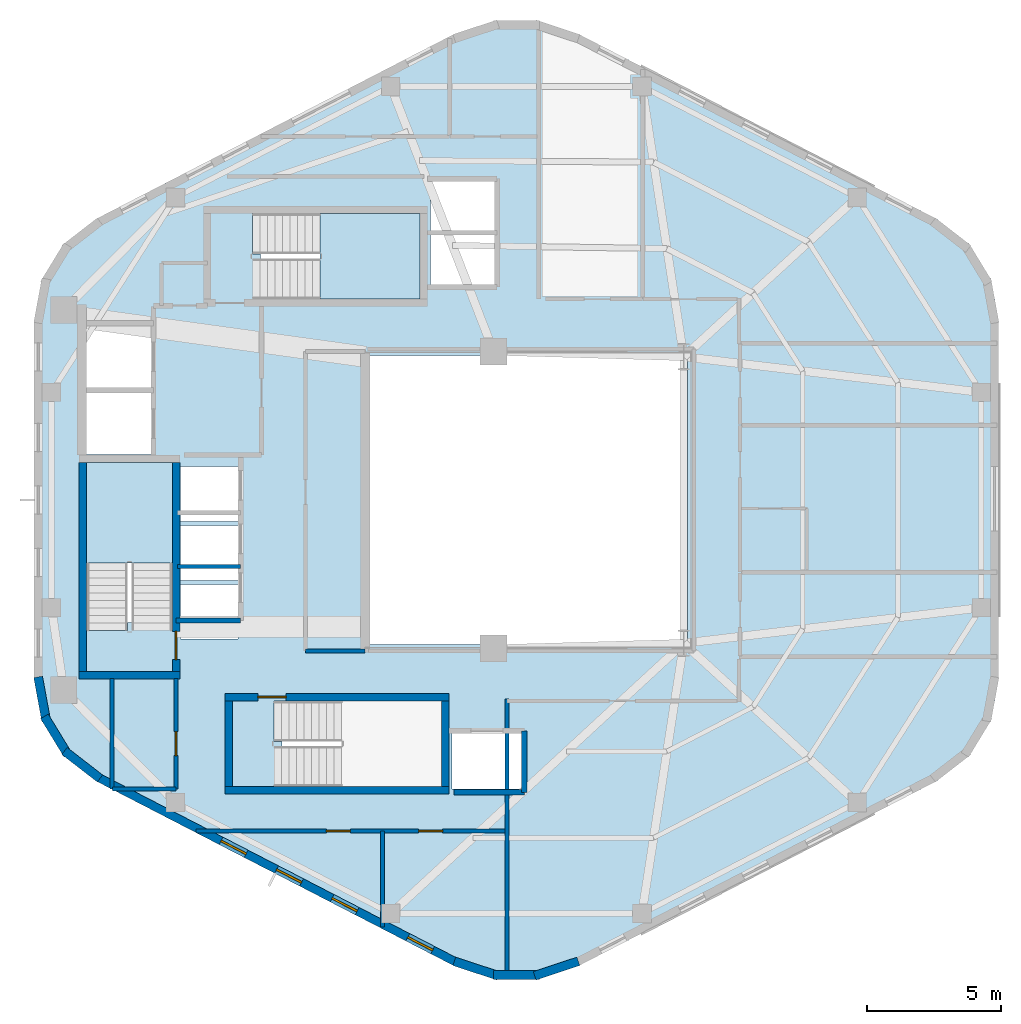
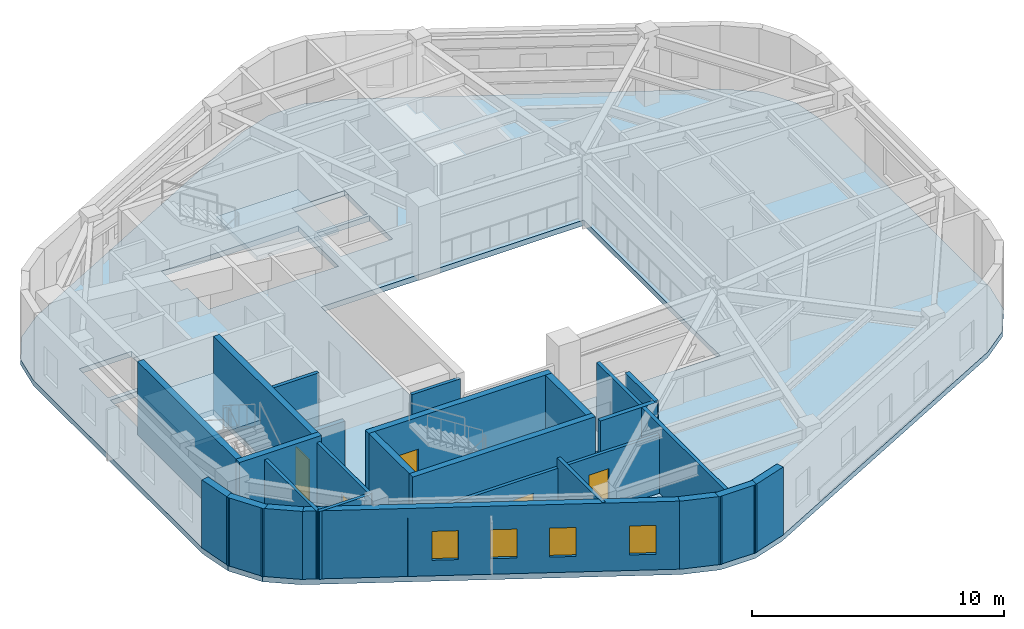
# One storey, part 2 of 7: 25 walls, 5 doors, 4 windows, 3 slabs, 9 openings, 2 elements without a shape of their own.
"""IFC4 building model written with IfcOpenShell, lengths in metres."""

from ifc_helpers import new_model, si_unit, direction, frame, frame_2d, origin, place, context, subcontext, project, spatial, polyline, rectangle, outline, extrude, material, layer, layer_set, type_object, element, fill, aggregate, save


model = new_model("IFC4")

# Units and contexts
model_context = context("Model", 3, precision=1e-05, world=origin(), true_north=direction((0.0, 1.0)))
body_context = subcontext(model_context, "Body", "Model", "MODEL_VIEW")
ifc_project = project(units=[si_unit("LENGTHUNIT", "METRE"), si_unit("AREAUNIT", "SQUARE_METRE"), si_unit("VOLUMEUNIT", "CUBIC_METRE"), si_unit("PLANEANGLEUNIT", "RADIAN"), si_unit("MASSUNIT", "GRAM", prefix="KILO"), si_unit("THERMODYNAMICTEMPERATUREUNIT", "KELVIN"), si_unit("POWERUNIT", "WATT")], contexts=[model_context])

# Site, building, storey
site_placement = place(None, origin())
site = spatial("IfcSite", under=ifc_project, at=site_placement, CompositionType="ELEMENT")
building_placement = place(site_placement, origin())
building = spatial("IfcBuilding", under=site, at=building_placement, Name="Skarre Station Tower", CompositionType="ELEMENT")
storey_placement = place(building_placement, frame((0.0, 0.0, 263.199951171875)))
storey = spatial("IfcBuildingStorey", under=building, at=storey_placement, Name="L72", CompositionType="ELEMENT", Elevation=263.199951171875)

# Stair, slab
ifc_material_1 = material(Name="Concrete C40/50", Category="concrete")
stair_type_1 = type_object("IfcStairType", Name="Reinforced Concrete Exit Stair ST-1", PredefinedType="HALF_TURN_STAIR", material=ifc_material_1)
stair_1_placement = place(storey_placement, origin())
stair_1 = element("IfcStair", 1, at=stair_1_placement, inside=storey, type_object=stair_type_1, Name="L72 Core Exit Stair ST-1", PredefinedType="HALF_TURN_STAIR")
ifc_layer_1 = layer(ifc_material_1, 0.219970703125, Name="Concrete C40/50")
ifc_layer_set_1 = layer_set([ifc_layer_1], Name="Concrete C40/50")
slab_type_1 = type_object("IfcSlabType", Name="Reinforced Concrete Stair & Ramp Landing 220", PredefinedType="LANDING", material=ifc_layer_set_1)
slab_1_placement = place(storey_placement, frame((0.0, 0.0, 1.574951171875)))
slab_1 = element("IfcSlab", 2, at=slab_1_placement, type_object=slab_type_1, Name="ST-1 landing 1", PredefinedType="LANDING", context=body_context, shape_type="SweptSolid", body=[
    extrude(outline(polyline([(20.35009765625, 21.639892578125), (20.35009765625, 25.39990234375), (17.14990234375, 25.39990234375), (17.14990234375, 21.639892578125), (20.35009765625, 21.639892578125)])), origin(), (0.0, 0.0, 1.0), 0.2001953125),
])
aggregate(stair_1, [slab_1])

stair_type_2 = type_object("IfcStairType", Name="Reinforced Concrete Exit Stair ST-3", PredefinedType="HALF_TURN_STAIR", material=ifc_material_1)
stair_2_placement = place(storey_placement, origin())
stair_2 = element("IfcStair", 3, at=stair_2_placement, inside=storey, type_object=stair_type_2, Name="L72 Core Exit Stair ST-3", PredefinedType="HALF_TURN_STAIR")
slab_2_placement = place(storey_placement, frame((0.0, 0.0, 1.574951171875)))
slab_2 = element("IfcSlab", 4, at=slab_2_placement, type_object=slab_type_1, Name="ST-3 landing 1", PredefinedType="LANDING", context=body_context, shape_type="SweptSolid", body=[
    extrude(outline(polyline([(25.8701171875, 31.5), (29.60009765625, 31.5), (29.60009765625, 34.699951171875), (25.8701171875, 34.699951171875), (25.8701171875, 31.5)])), origin(), (0.0, 0.0, 1.0), 0.2001953125),
])
aggregate(stair_2, [slab_2])

# Slab
ifc_material_2 = material(Name="Concrete C50/60", Category="concrete")
ifc_layer_2 = layer(ifc_material_2, 0.260009765625, Name="Concrete C50/60")
ifc_layer_set_2 = layer_set([ifc_layer_2], Name="Concrete C50/60")
slab_type_2 = type_object("IfcSlabType", Name="Tower Typical Composite Floor Slab 260", PredefinedType="FLOOR", material=ifc_layer_set_2)
slab_3_placement = place(storey_placement, frame((0.0, 0.0, -0.260009765625)))
element("IfcSlab", 5, at=slab_3_placement, inside=storey, type_object=slab_type_2, Name="L72 Zone 4 Structural Floor Slab", PredefinedType="FLOOR", context=body_context, shape_type="SweptSolid", body=[
    extrude(outline(polyline([(51.212890625, 30.701904296875), (50.93310546875, 32.222900390625), (50.1279296875, 33.544921875), (48.905029296875, 34.491943359375), (35.508056640625, 41.407958984375), (33.99609375, 41.906005859375), (32.404052734375, 41.906005859375), (30.89208984375, 41.407958984375), (17.4951171875, 34.491943359375), (16.27197265625, 33.544921875), (15.467041015625, 32.222900390625), (15.18701171875, 30.701904296875), (15.18701171875, 17.298095703125), (15.467041015625, 15.777099609375), (16.27197265625, 14.455078125), (17.4951171875, 13.508056640625), (30.89208984375, 6.592041015625), (32.404052734375, 6.093994140625), (33.99609375, 6.093994140625), (35.508056640625, 6.592041015625), (48.905029296875, 13.508056640625), (50.1279296875, 14.455078125), (50.93310546875, 15.777099609375), (51.212890625, 17.298095703125), (51.212890625, 30.701904296875)]), holes=[polyline([(18.669921875, 19.419921875), (18.669921875, 19.123046875), (17.14990234375, 19.123046875), (17.14990234375, 25.39990234375), (20.35009765625, 25.39990234375), (20.35009765625, 19.419921875), (18.669921875, 19.419921875)]), polyline([(24.449951171875, 14.97998046875), (24.153076171875, 14.97998046875), (24.153076171875, 16.5), (30.39990234375, 16.5), (30.39990234375, 13.300048828125), (24.449951171875, 13.300048828125), (24.449951171875, 14.97998046875)]), polyline([(23.64990234375, 33.179931640625), (23.35302734375, 33.179931640625), (23.35302734375, 34.699951171875), (29.60009765625, 34.699951171875), (29.60009765625, 31.5), (23.64990234375, 31.5), (23.64990234375, 33.179931640625)]), polyline([(17.14990234375, 28.0), (19.550048828125, 28.0), (19.550048828125, 25.699951171875), (17.14990234375, 25.699951171875), (17.14990234375, 28.0)]), polyline([(17.14990234375, 30.5), (19.550048828125, 30.5), (19.550048828125, 28.199951171875), (17.14990234375, 28.199951171875), (17.14990234375, 30.5)]), polyline([(30.800048828125, 15.300048828125), (33.39990234375, 15.300048828125), (33.39990234375, 13.199951171875), (30.800048828125, 13.199951171875), (30.800048828125, 15.300048828125)]), polyline([(20.64990234375, 20.85009765625), (22.800048828125, 20.85009765625), (22.800048828125, 18.800048828125), (20.64990234375, 18.800048828125), (20.64990234375, 20.85009765625)]), polyline([(20.64990234375, 23.050048828125), (22.800048828125, 23.050048828125), (22.800048828125, 21.0), (20.64990234375, 21.0), (20.64990234375, 23.050048828125)]), polyline([(20.64990234375, 25.25), (22.800048828125, 25.25), (22.800048828125, 23.199951171875), (20.64990234375, 23.199951171875), (20.64990234375, 25.25)]), polyline([(30.0, 33.89990234375), (32.39990234375, 33.89990234375), (32.39990234375, 32.050048828125), (30.0, 32.050048828125), (30.0, 33.89990234375)]), polyline([(30.0, 35.89990234375), (32.39990234375, 35.89990234375), (32.39990234375, 34.050048828125), (30.0, 34.050048828125), (30.0, 35.89990234375)]), polyline([(27.60009765625, 29.39990234375), (39.60009765625, 29.39990234375), (39.60009765625, 18.60009765625), (27.60009765625, 18.60009765625), (27.60009765625, 29.39990234375)])]), origin(), (0.0, 0.0, 1.0), 0.260009765625),
])

# Walls
ifc_material_3 = material(Name="Acoustic Steel-Stud Gypsum Partition", Category="steel")
ifc_layer_3 = layer(ifc_material_3, 0.14990234375, Name="Acoustic Steel-Stud Gypsum Partition")
ifc_layer_set_3 = layer_set([ifc_layer_3], Name="Acoustic Steel-Stud Gypsum Partition")
wall_type_1 = type_object("IfcWallType", Name="Fire-Rated Corridor Acoustic Partition 150", PredefinedType="PARTITIONING", material=ifc_layer_set_3)
wall_1_placement = place(storey_placement, frame((25.320068359375, 18.360107421875, 0.0), z_axis=(0.0, 0.0, 1.0), x_axis=(1.0, 0.0, 0.0)))
element("IfcWall", 6, at=wall_1_placement, inside=storey, type_object=wall_type_1, Name="L72 Interior Partition WL-PT-L72-RC2-S", PredefinedType="PARTITIONING", context=body_context, shape_type="SweptSolid", body=[
    extrude(rectangle(XDim=2.22998046875, YDim=0.14990234375, at=frame_2d((1.114990234375, 0.0))), origin(), (0.0, 0.0, 1.0), 3.2900390625),
])
wall_2_placement = place(storey_placement, frame((18.10009765625, 17.340087890625, 0.0), z_axis=(0.0, 0.0, 1.0), x_axis=(0.0, -1.0, 0.0)))
element("IfcWall", 7, at=wall_2_placement, inside=storey, type_object=wall_type_1, Name="L72 Interior Partition WL-PT-L72-CSVC-W", PredefinedType="PARTITIONING", context=body_context, shape_type="SweptSolid", body=[
    extrude(rectangle(XDim=4.133056640625, YDim=0.14990234375, at=frame_2d((2.06640625, 0.0))), origin(), (0.0, 0.0, 1.0), 3.2900390625),
])
wall_3_placement = place(storey_placement, frame((18.113037109375, 13.199951171875, 0.0), z_axis=(0.0, 0.0, 1.0), x_axis=(1.0, 0.0, 0.0)))
element("IfcWall", 8, at=wall_3_placement, inside=storey, type_object=wall_type_1, Name="L72 Interior Partition WL-PT-L72-CSVC-S", PredefinedType="PARTITIONING", context=body_context, shape_type="SweptSolid", body=[
    extrude(rectangle(XDim=2.376953125, YDim=0.14990234375, at=frame_2d((1.1884765625, 0.0))), origin(), (0.0, 0.0, 1.0), 3.2900390625),
])

# Wall, opening, door
wall_4_placement = place(storey_placement, frame((20.489990234375, 13.199951171875, 0.0), z_axis=(0.0, 0.0, 1.0), x_axis=(0.0, 1.0, 0.0)))
wall_4 = element("IfcWall", 9, at=wall_4_placement, inside=storey, type_object=wall_type_1, Name="L72 Interior Partition WL-PT-L72-CSVC-E", PredefinedType="PARTITIONING", context=body_context, shape_type="SweptSolid", body=[
    extrude(rectangle(XDim=4.14013671875, YDim=0.14990234375, at=frame_2d((2.070068359375, 0.0))), origin(), (0.0, 0.0, 1.0), 3.2900390625),
])
opening_1_placement = place(wall_4_placement, frame((1.25, 0.0, 0.0)))
opening_1 = element("IfcOpeningElement", 10, at=opening_1_placement, cuts=wall_4, Name="Opening DR-SVC90", PredefinedType="OPENING", context=body_context, shape_type="SweptSolid", body=[
    extrude(rectangle(XDim=0.89990234375, YDim=2.0, at=frame_2d((0.449951171875, 1.0))), frame((0.0, 0.0849609375, 0.0), z_axis=(0.0, -1.0, 0.0), x_axis=(1.0, 0.0, 0.0)), (0.0, 0.0, 1.0), 0.169921875),
])
ifc_material_4 = material(Name="Powder-Coated Hollow-Metal Acoustic Fire Leaf", Category="steel")
door_type_1 = type_object("IfcDoorType", Name="Service & Riser Fire Door FD60 900x2100", OperationType="SINGLE_SWING_LEFT", PredefinedType="DOOR", material=ifc_material_4)
door_1_placement = place(opening_1_placement, origin())
door_1 = element("IfcDoor", 11, at=door_1_placement, inside=storey, type_object=door_type_1, Name="L72 Core Pantry Door", OperationType="SINGLE_SWING_LEFT", OverallHeight=2.0, OverallWidth=0.89990234375, PredefinedType="DOOR", context=body_context, shape_type="SweptSolid", body=[
    extrude(rectangle(XDim=0.89990234375, YDim=2.0, at=frame_2d((0.449951171875, 1.0))), frame((0.0, 0.02490234375, 0.0), z_axis=(0.0, -1.0, 0.0), x_axis=(1.0, 0.0, 0.0)), (0.0, 0.0, 1.0), 0.050048828125),
])
fill(opening_1, door_1)

# Wall
wall_5_placement = place(storey_placement, frame((28.199951171875, 8.049072265625, 0.0), z_axis=(0.0, 0.0, 1.0), x_axis=(0.0, 1.0, 0.0)))
element("IfcWall", 12, at=wall_5_placement, inside=storey, type_object=wall_type_1, Name="L72 Interior Partition WL-PT-L72-SWP-M", PredefinedType="PARTITIONING", context=body_context, shape_type="SweptSolid", body=[
    extrude(rectangle(XDim=3.5908203125, YDim=0.14990234375, at=frame_2d((1.79541015625, 0.0))), origin(), (0.0, 0.0, 1.0), 3.2900390625),
])

# Wall, openings, doors
wall_6_placement = place(storey_placement, frame((21.243896484375, 11.639892578125, 0.0), z_axis=(0.0, 0.0, 1.0), x_axis=(1.0, 0.0, 0.0)))
wall_6 = element("IfcWall", 13, at=wall_6_placement, inside=storey, type_object=wall_type_1, Name="L72 Interior Partition WL-PT-L72-SWP-N", PredefinedType="PARTITIONING", context=body_context, shape_type="SweptSolid", body=[
    extrude(rectangle(XDim=11.606201171875, YDim=0.14990234375, at=frame_2d((5.80322265625, 0.0))), origin(), (0.0, 0.0, 1.0), 2.8330078125),
])
opening_2_placement = place(wall_6_placement, frame((4.85595703125, 0.0, 0.0)))
opening_2 = element("IfcOpeningElement", 14, at=opening_2_placement, cuts=wall_6, Name="Opening DR-SVC90", PredefinedType="OPENING", context=body_context, shape_type="SweptSolid", body=[
    extrude(rectangle(XDim=0.89990234375, YDim=2.0, at=frame_2d((0.449951171875, 1.0))), frame((0.0, 0.0849609375, 0.0), z_axis=(0.0, -1.0, 0.0), x_axis=(1.0, 0.0, 0.0)), (0.0, 0.0, 1.0), 0.169921875),
])
opening_3_placement = place(wall_6_placement, frame((8.305908203125, 0.0, 0.0)))
opening_3 = element("IfcOpeningElement", 15, at=opening_3_placement, cuts=wall_6, Name="Opening DR-SVC90", PredefinedType="OPENING", context=body_context, shape_type="SweptSolid", body=[
    extrude(rectangle(XDim=0.89990234375, YDim=2.0, at=frame_2d((0.449951171875, 1.0))), frame((0.0, 0.0849609375, 0.0), z_axis=(0.0, -1.0, 0.0), x_axis=(1.0, 0.0, 0.0)), (0.0, 0.0, 1.0), 0.169921875),
])
door_2_placement = place(opening_2_placement, origin())
door_2 = element("IfcDoor", 16, at=door_2_placement, inside=storey, type_object=door_type_1, Name="L72 Floor Public Toilets Door", OperationType="SINGLE_SWING_LEFT", OverallHeight=2.0, OverallWidth=0.89990234375, PredefinedType="DOOR", context=body_context, shape_type="SweptSolid", body=[
    extrude(rectangle(XDim=0.89990234375, YDim=2.0, at=frame_2d((0.449951171875, 1.0))), frame((0.0, 0.02490234375, 0.0), z_axis=(0.0, -1.0, 0.0), x_axis=(1.0, 0.0, 0.0)), (0.0, 0.0, 1.0), 0.050048828125),
])
fill(opening_2, door_2)
door_3_placement = place(opening_3_placement, origin())
door_3 = element("IfcDoor", 17, at=door_3_placement, inside=storey, type_object=door_type_1, Name="L72 South-West Study Door", OperationType="SINGLE_SWING_LEFT", OverallHeight=2.0, OverallWidth=0.89990234375, PredefinedType="DOOR", context=body_context, shape_type="SweptSolid", body=[
    extrude(rectangle(XDim=0.89990234375, YDim=2.0, at=frame_2d((0.449951171875, 1.0))), frame((0.0, 0.02490234375, 0.0), z_axis=(0.0, -1.0, 0.0), x_axis=(1.0, 0.0, 0.0)), (0.0, 0.0, 1.0), 0.050048828125),
])
fill(opening_3, door_3)

# Walls
ifc_material_5 = material(Name="Precast concrete C45/55", Category="concrete")
ifc_layer_4 = layer(ifc_material_5, 0.330078125, Name="Precast concrete C45/55")
ifc_layer_set_4 = layer_set([ifc_layer_4], Name="Precast concrete C45/55")
wall_type_2 = type_object("IfcWallType", Name="Nordic Rounded Corner Precast Wall 330", PredefinedType="STANDARD", material=ifc_layer_set_4)
wall_7_placement = place(storey_placement, frame((17.64697265625, 13.59912109375, 0.0), z_axis=(0.0, 0.0, 1.0), x_axis=(-0.790691856293, 0.61221433207, 0.0)))
element("IfcWall", 18, at=wall_7_placement, inside=storey, type_object=wall_type_2, Name="L72 Rounded Corner Precast Wall F3-1", PredefinedType="STANDARD", context=body_context, shape_type="SweptSolid", body=[
    extrude(rectangle(XDim=1.67578125, YDim=0.330078125, at=frame_2d((0.837890625, 0.0))), origin(), (0.0, 0.0, 1.0), 3.2900390625),
])
wall_8_placement = place(storey_placement, frame((16.447021484375, 14.485107421875, 0.0), z_axis=(0.0, 0.0, 1.0), x_axis=(-0.520325409202, 0.853968072318, 0.0)))
element("IfcWall", 19, at=wall_8_placement, inside=storey, type_object=wall_type_2, Name="L72 Rounded Corner Precast Wall F3-2", PredefinedType="STANDARD", context=body_context, shape_type="SweptSolid", body=[
    extrude(rectangle(XDim=1.677978515625, YDim=0.330078125, at=frame_2d((0.8388671875, 0.0))), origin(), (0.0, 0.0, 1.0), 3.2900390625),
])
wall_9_placement = place(storey_placement, frame((15.64111328125, 15.742919921875, 0.0), z_axis=(0.0, 0.0, 1.0), x_axis=(-0.180832605401, 0.983513888475, 0.0)))
element("IfcWall", 20, at=wall_9_placement, inside=storey, type_object=wall_type_2, Name="L72 Rounded Corner Precast Wall F3-3", PredefinedType="STANDARD", context=body_context, shape_type="SweptSolid", body=[
    extrude(rectangle(XDim=1.6767578125, YDim=0.330078125, at=frame_2d((0.83837890625, 0.0))), origin(), (0.0, 0.0, 1.0), 3.2900390625),
])
wall_10_placement = place(storey_placement, frame((35.51806640625, 6.76904296875, 0.0), z_axis=(0.0, 0.0, 1.0), x_axis=(-0.949713440491, -0.313120393699, 0.0)))
element("IfcWall", 21, at=wall_10_placement, inside=storey, type_object=wall_type_2, Name="L72 Rounded Corner Precast Wall F4-1", PredefinedType="STANDARD", context=body_context, shape_type="SweptSolid", body=[
    extrude(rectangle(XDim=1.7216796875, YDim=0.330078125, at=frame_2d((0.86083984375, 0.0))), origin(), (0.0, 0.0, 1.0), 3.2900390625),
])
wall_11_placement = place(storey_placement, frame((34.06103515625, 6.259033203125, 0.0), z_axis=(0.0, 0.0, 1.0), x_axis=(-1.0, 0.0, 0.0)))
element("IfcWall", 22, at=wall_11_placement, inside=storey, type_object=wall_type_2, Name="L72 Rounded Corner Precast Wall F4-2", PredefinedType="STANDARD", context=body_context, shape_type="SweptSolid", body=[
    extrude(rectangle(XDim=1.721923828125, YDim=0.330078125, at=frame_2d((0.86083984375, 0.0))), origin(), (0.0, 0.0, 1.0), 3.2900390625),
])
wall_12_placement = place(storey_placement, frame((32.51708984375, 6.22998046875, 0.0), z_axis=(0.0, 0.0, 1.0), x_axis=(-0.949713440491, 0.313120393699, 0.0)))
element("IfcWall", 23, at=wall_12_placement, inside=storey, type_object=wall_type_2, Name="L72 Rounded Corner Precast Wall F4-3", PredefinedType="STANDARD", context=body_context, shape_type="SweptSolid", body=[
    extrude(rectangle(XDim=1.7216796875, YDim=0.330078125, at=frame_2d((0.86083984375, 0.0))), origin(), (0.0, 0.0, 1.0), 3.2900390625),
])

# Wall, openings, windows
ifc_layer_5 = layer(ifc_material_5, 0.31005859375, Name="Precast concrete C45/55")
ifc_layer_set_5 = layer_set([ifc_layer_5], Name="Precast concrete C45/55")
wall_type_3 = type_object("IfcWallType", Name="Nordic Upper-Zone Precast Facet Wall 310", PredefinedType="STANDARD", material=ifc_layer_set_5)
wall_13_placement = place(storey_placement, frame((30.962890625, 6.72998046875, 0.0), z_axis=(0.0, 0.0, 1.0), x_axis=(-0.888581481622, 0.458718814218, 0.0)))
wall_13 = element("IfcWall", 24, at=wall_13_placement, inside=storey, type_object=wall_type_3, Name="L72 Facet 3 Nordic Precast Masonry Wall", PredefinedType="STANDARD", context=body_context, shape_type="SweptSolid", body=[
    extrude(rectangle(XDim=15.076904296875, YDim=0.31005859375, at=frame_2d((7.53857421875, 0.0))), origin(), (0.0, 0.0, 1.0), 3.2900390625),
])
opening_4_placement = place(wall_13_placement, frame((0.998046875, 0.0, 0.75)))
opening_4 = element("IfcOpeningElement", 25, at=opening_4_placement, cuts=wall_13, Name="Opening WN-SLT", PredefinedType="OPENING", context=body_context, shape_type="SweptSolid", body=[
    extrude(rectangle(XDim=1.050048828125, YDim=1.39990234375, at=frame_2d((0.52490234375, 0.699951171875))), frame((0.0, 0.1650390625, 0.0), z_axis=(0.0, -1.0, 0.0), x_axis=(1.0, 0.0, 0.0)), (0.0, 0.0, 1.0), 0.330078125),
])
opening_5_placement = place(wall_13_placement, frame((4.176025390625, 0.0, 0.75)))
opening_5 = element("IfcOpeningElement", 26, at=opening_5_placement, cuts=wall_13, Name="Opening WN-SLT", PredefinedType="OPENING", context=body_context, shape_type="SweptSolid", body=[
    extrude(rectangle(XDim=1.050048828125, YDim=1.39990234375, at=frame_2d((0.52490234375, 0.699951171875))), frame((0.0, 0.1650390625, 0.0), z_axis=(0.0, -1.0, 0.0), x_axis=(1.0, 0.0, 0.0)), (0.0, 0.0, 1.0), 0.330078125),
])
opening_6_placement = place(wall_13_placement, frame((6.509033203125, 0.0, 0.75)))
opening_6 = element("IfcOpeningElement", 27, at=opening_6_placement, cuts=wall_13, Name="Opening WN-SLT", PredefinedType="OPENING", context=body_context, shape_type="SweptSolid", body=[
    extrude(rectangle(XDim=1.050048828125, YDim=1.39990234375, at=frame_2d((0.52490234375, 0.699951171875))), frame((0.0, 0.1650390625, 0.0), z_axis=(0.0, -1.0, 0.0), x_axis=(1.0, 0.0, 0.0)), (0.0, 0.0, 1.0), 0.330078125),
])
opening_7_placement = place(wall_13_placement, frame((8.842041015625, 0.0, 0.75)))
opening_7 = element("IfcOpeningElement", 28, at=opening_7_placement, cuts=wall_13, Name="Opening WN-SLT", PredefinedType="OPENING", context=body_context, shape_type="SweptSolid", body=[
    extrude(rectangle(XDim=1.050048828125, YDim=1.39990234375, at=frame_2d((0.52490234375, 0.699951171875))), frame((0.0, 0.1650390625, 0.0), z_axis=(0.0, -1.0, 0.0), x_axis=(1.0, 0.0, 0.0)), (0.0, 0.0, 1.0), 0.330078125),
])
ifc_material_6 = material(Name="Low-Iron Triple Glazing with Bronze Anodized Frame", Category="glass")
window_type = type_object("IfcWindowType", Name="Nordic Corner Slot Window 1050x1400", PartitioningType="SINGLE_PANEL", PredefinedType="WINDOW", material=ifc_material_6)
window_1_placement = place(opening_4_placement, origin())
window_1 = element("IfcWindow", 29, at=window_1_placement, inside=storey, type_object=window_type, Name="L72 Facade Window WL-FAC-L72-F3-1", OverallHeight=1.39990234375, OverallWidth=1.050048828125, PartitioningType="SINGLE_PANEL", PredefinedType="WINDOW", context=body_context, shape_type="SweptSolid", body=[
    extrude(rectangle(XDim=1.050048828125, YDim=1.39990234375, at=frame_2d((0.52490234375, 0.699951171875))), frame((0.0, 0.030029296875, 0.0), z_axis=(0.0, -1.0, 0.0), x_axis=(1.0, 0.0, 0.0)), (0.0, 0.0, 1.0), 0.06005859375),
])
fill(opening_4, window_1)
window_2_placement = place(opening_5_placement, origin())
window_2 = element("IfcWindow", 30, at=window_2_placement, inside=storey, type_object=window_type, Name="L72 Facade Window WL-FAC-L72-F3-2", OverallHeight=1.39990234375, OverallWidth=1.050048828125, PartitioningType="SINGLE_PANEL", PredefinedType="WINDOW", context=body_context, shape_type="SweptSolid", body=[
    extrude(rectangle(XDim=1.050048828125, YDim=1.39990234375, at=frame_2d((0.52490234375, 0.699951171875))), frame((0.0, 0.030029296875, 0.0), z_axis=(0.0, -1.0, 0.0), x_axis=(1.0, 0.0, 0.0)), (0.0, 0.0, 1.0), 0.06005859375),
])
fill(opening_5, window_2)
window_3_placement = place(opening_6_placement, origin())
window_3 = element("IfcWindow", 31, at=window_3_placement, inside=storey, type_object=window_type, Name="L72 Facade Window WL-FAC-L72-F3-3", OverallHeight=1.39990234375, OverallWidth=1.050048828125, PartitioningType="SINGLE_PANEL", PredefinedType="WINDOW", context=body_context, shape_type="SweptSolid", body=[
    extrude(rectangle(XDim=1.050048828125, YDim=1.39990234375, at=frame_2d((0.52490234375, 0.699951171875))), frame((0.0, 0.030029296875, 0.0), z_axis=(0.0, -1.0, 0.0), x_axis=(1.0, 0.0, 0.0)), (0.0, 0.0, 1.0), 0.06005859375),
])
fill(opening_6, window_3)
window_4_placement = place(opening_7_placement, origin())
window_4 = element("IfcWindow", 32, at=window_4_placement, inside=storey, type_object=window_type, Name="L72 Facade Window WL-FAC-L72-F3-4", OverallHeight=1.39990234375, OverallWidth=1.050048828125, PartitioningType="SINGLE_PANEL", PredefinedType="WINDOW", context=body_context, shape_type="SweptSolid", body=[
    extrude(rectangle(XDim=1.050048828125, YDim=1.39990234375, at=frame_2d((0.52490234375, 0.699951171875))), frame((0.0, 0.030029296875, 0.0), z_axis=(0.0, -1.0, 0.0), x_axis=(1.0, 0.0, 0.0)), (0.0, 0.0, 1.0), 0.06005859375),
])
fill(opening_7, window_4)

# Walls
ifc_layer_6 = layer(ifc_material_2, 0.280029296875, Name="Concrete C50/60")
ifc_layer_set_6 = layer_set([ifc_layer_6], Name="Concrete C50/60")
wall_type_4 = type_object("IfcWallType", Name="RC Core Shear Wall 280", PredefinedType="SHEAR", material=ifc_layer_set_6)
wall_14_placement = place(storey_placement, frame((16.8701171875, 17.4599609375, 0.0), z_axis=(0.0, 0.0, 1.0), x_axis=(1.0, 0.0, 0.0)))
element("IfcWall", 33, at=wall_14_placement, inside=storey, type_object=wall_type_4, Name="L72 Stair ST-1 South Shear Wall", PredefinedType="SHEAR", context=body_context, shape_type="SweptSolid", body=[
    extrude(rectangle(XDim=3.759765625, YDim=0.280029296875, at=frame_2d((1.8798828125, 0.0))), origin(), (0.0, 0.0, 1.0), 3.550048828125),
])
wall_15_placement = place(storey_placement, frame((17.010009765625, 25.39990234375, 0.0), z_axis=(0.0, 0.0, 1.0), x_axis=(0.0, -1.0, 0.0)))
element("IfcWall", 34, at=wall_15_placement, inside=storey, type_object=wall_type_4, Name="L72 Stair ST-1 West Shear Wall", PredefinedType="SHEAR", context=body_context, shape_type="SweptSolid", body=[
    extrude(rectangle(XDim=7.7998046875, YDim=0.280029296875, at=frame_2d((3.89990234375, 0.0))), origin(), (0.0, 0.0, 1.0), 3.550048828125),
])

# Wall, opening, door
wall_16_placement = place(storey_placement, frame((20.489990234375, 17.60009765625, 0.0), z_axis=(0.0, 0.0, 1.0), x_axis=(0.0, 1.0, 0.0)))
wall_16 = element("IfcWall", 35, at=wall_16_placement, inside=storey, type_object=wall_type_4, Name="L72 Stair ST-1 East Shear Wall", PredefinedType="SHEAR", context=body_context, shape_type="SweptSolid", body=[
    extrude(rectangle(XDim=7.7998046875, YDim=0.280029296875, at=frame_2d((3.89990234375, 0.0))), origin(), (0.0, 0.0, 1.0), 3.550048828125),
])
opening_8_placement = place(wall_16_placement, frame((0.43994140625, 0.0, 0.0)))
opening_8 = element("IfcOpeningElement", 36, at=opening_8_placement, cuts=wall_16, Name="Opening DR-FD90", PredefinedType="OPENING", context=body_context, shape_type="SweptSolid", body=[
    extrude(rectangle(XDim=1.050048828125, YDim=2.0, at=frame_2d((0.52490234375, 1.0))), frame((0.0, 0.14990234375, 0.0), z_axis=(0.0, -1.0, 0.0), x_axis=(1.0, 0.0, 0.0)), (0.0, 0.0, 1.0), 0.300048828125),
])
ifc_material_7 = material(Name="Fire-Rated Insulated Steel Frame & Timber Core Leaf", Category="steel")
door_type_2 = type_object("IfcDoorType", Name="Stair & FSAE Lobby Fire Door FD90 1050x2150", OperationType="SINGLE_SWING_RIGHT", PredefinedType="DOOR", material=ifc_material_7)
door_4_placement = place(opening_8_placement, origin())
door_4 = element("IfcDoor", 37, at=door_4_placement, inside=storey, type_object=door_type_2, Name="L72 Stair ST-1 Exit Door", OperationType="SINGLE_SWING_RIGHT", OverallHeight=2.0, OverallWidth=1.050048828125, PredefinedType="DOOR", context=body_context, shape_type="SweptSolid", body=[
    extrude(rectangle(XDim=1.050048828125, YDim=2.0, at=frame_2d((0.52490234375, 1.0))), frame((0.0, 0.02490234375, 0.0), z_axis=(0.0, -1.0, 0.0), x_axis=(1.0, 0.0, 0.0)), (0.0, 0.0, 1.0), 0.050048828125),
])
fill(opening_8, door_4)

# Wall
wall_17_placement = place(storey_placement, frame((22.320068359375, 13.159912109375, 0.0), z_axis=(0.0, 0.0, 1.0), x_axis=(1.0, 0.0, 0.0)))
element("IfcWall", 38, at=wall_17_placement, inside=storey, type_object=wall_type_4, Name="L72 Stair ST-2 South Shear Wall", PredefinedType="SHEAR", context=body_context, shape_type="SweptSolid", body=[
    extrude(rectangle(XDim=8.35986328125, YDim=0.280029296875, at=frame_2d((4.179931640625, 0.0))), origin(), (0.0, 0.0, 1.0), 3.550048828125),
])

# Wall, opening, door
wall_18_placement = place(storey_placement, frame((30.679931640625, 16.639892578125, 0.0), z_axis=(0.0, 0.0, 1.0), x_axis=(-1.0, 0.0, 0.0)))
wall_18 = element("IfcWall", 39, at=wall_18_placement, inside=storey, type_object=wall_type_4, Name="L72 Stair ST-2 North Shear Wall", PredefinedType="SHEAR", context=body_context, shape_type="SweptSolid", body=[
    extrude(rectangle(XDim=8.35986328125, YDim=0.280029296875, at=frame_2d((4.179931640625, 0.0))), origin(), (0.0, 0.0, 1.0), 3.550048828125),
])
opening_9_placement = place(wall_18_placement, frame((6.080078125, 0.0, 0.0)))
opening_9 = element("IfcOpeningElement", 40, at=opening_9_placement, cuts=wall_18, Name="Opening DR-FD90", PredefinedType="OPENING", context=body_context, shape_type="SweptSolid", body=[
    extrude(rectangle(XDim=1.050048828125, YDim=2.0, at=frame_2d((0.52490234375, 1.0))), frame((0.0, 0.14990234375, 0.0), z_axis=(0.0, -1.0, 0.0), x_axis=(1.0, 0.0, 0.0)), (0.0, 0.0, 1.0), 0.300048828125),
])
door_5_placement = place(opening_9_placement, origin())
door_5 = element("IfcDoor", 41, at=door_5_placement, inside=storey, type_object=door_type_2, Name="L72 Stair ST-2 Exit Door", OperationType="SINGLE_SWING_RIGHT", OverallHeight=2.0, OverallWidth=1.050048828125, PredefinedType="DOOR", context=body_context, shape_type="SweptSolid", body=[
    extrude(rectangle(XDim=1.050048828125, YDim=2.0, at=frame_2d((0.52490234375, 1.0))), frame((0.0, 0.02490234375, 0.0), z_axis=(0.0, -1.0, 0.0), x_axis=(1.0, 0.0, 0.0)), (0.0, 0.0, 1.0), 0.050048828125),
])
fill(opening_9, door_5)

# Walls
for number, where, z_axis, x_axis, name in (
    (42, (22.4599609375, 16.5, 0.0), (0.0, 0.0, 1.0), (0.0, -1.0, 0.0), "L72 Stair ST-2 West Shear Wall"),
    (43, (30.5400390625, 13.300048828125, 0.0), (0.0, 0.0, 1.0), (0.0, 1.0, 0.0), "L72 Stair ST-2 East Shear Wall"),
):
    element("IfcWall", number, at=place(storey_placement, frame(where, z_axis=z_axis, x_axis=x_axis)), inside=storey, type_object=wall_type_4, Name=name, PredefinedType="SHEAR", context=body_context, shape_type="SweptSolid", body=[
        extrude(rectangle(XDim=3.199951171875, YDim=0.280029296875, at=frame_2d((1.60009765625, 0.0))), origin(), (0.0, 0.0, 1.0), 3.550048828125),
    ])
ifc_material_8 = material(Name="Gypsum Concrete Shaft Assembly C30/37", Category="concrete")
ifc_layer_7 = layer(ifc_material_8, 0.199951171875, Name="Gypsum Concrete Shaft Assembly C30/37")
ifc_layer_set_7 = layer_set([ifc_layer_7], Name="Gypsum Concrete Shaft Assembly C30/37")
wall_type_5 = type_object("IfcWallType", Name="Shaft & Core Fire Partition 200", PredefinedType="PARTITIONING", material=ifc_layer_set_7)
wall_19_placement = place(storey_placement, frame((33.5, 13.080078125, 0.0), z_axis=(0.0, 0.0, 1.0), x_axis=(0.0, 1.0, 0.0)))
element("IfcWall", 44, at=wall_19_placement, inside=storey, type_object=wall_type_5, Name="L72 Interior Partition WL-PT-L72-SV1-E", PredefinedType="PARTITIONING", context=body_context, shape_type="SweptSolid", body=[
    extrude(rectangle(XDim=2.2998046875, YDim=0.199951171875, at=frame_2d((1.14990234375, 0.0))), origin(), (0.0, 0.0, 1.0), 3.2900390625),
])
wall_20_placement = place(storey_placement, frame((30.87890625, 13.080078125, 0.0), z_axis=(0.0, 0.0, 1.0), x_axis=(1.0, 0.0, 0.0)))
element("IfcWall", 45, at=wall_20_placement, inside=storey, type_object=wall_type_5, Name="L72 Interior Partition WL-PT-L72-SV1-S", PredefinedType="PARTITIONING", context=body_context, shape_type="SweptSolid", body=[
    extrude(rectangle(XDim=2.62109375, YDim=0.199951171875, at=frame_2d((1.310546875, 0.0))), origin(), (0.0, 0.0, 1.0), 3.2900390625),
])
wall_21_placement = place(storey_placement, frame((20.489990234375, 19.5, 0.0), z_axis=(0.0, 0.0, 1.0), x_axis=(1.0, 0.0, 0.0)))
element("IfcWall", 46, at=wall_21_placement, inside=storey, type_object=wall_type_5, Name="L72 Interior Partition WL-PT-L72-B3-S", PredefinedType="PARTITIONING", context=body_context, shape_type="SweptSolid", body=[
    extrude(rectangle(XDim=2.409912109375, YDim=0.199951171875, at=frame_2d((1.205078125, 0.0))), origin(), (0.0, 0.0, 1.0), 2.18994140625),
])
wall_22_placement = place(storey_placement, frame((20.550048828125, 21.52001953125, 0.0), z_axis=(0.0, 0.0, 1.0), x_axis=(1.0, 0.0, 0.0)))
element("IfcWall", 47, at=wall_22_placement, inside=storey, type_object=wall_type_5, Name="L72 Interior Partition WL-PT-L72-B3-D1", PredefinedType="PARTITIONING", context=body_context, shape_type="SweptSolid", body=[
    extrude(rectangle(XDim=2.349853515625, YDim=0.159912109375, at=frame_2d((1.1748046875, 0.0))), origin(), (0.0, 0.0, 1.0), 3.2900390625),
])
ifc_layer_8 = layer(ifc_material_3, 0.1650390625, Name="Acoustic Steel-Stud Gypsum Partition")
ifc_layer_set_8 = layer_set([ifc_layer_8], Name="Acoustic Steel-Stud Gypsum Partition")
wall_type_6 = type_object("IfcWallType", Name="Suite Demising Acoustic Partition 165", PredefinedType="PARTITIONING", material=ifc_layer_set_8)
wall_23_placement = place(storey_placement, frame((32.85009765625, 6.154052734375, 0.0), z_axis=(0.0, 0.0, 1.0), x_axis=(0.0, 1.0, 0.0)))
element("IfcWall", 48, at=wall_23_placement, inside=storey, type_object=wall_type_6, Name="L72 Interior Partition WL-PT-L72-SWP-E", PredefinedType="PARTITIONING", context=body_context, shape_type="SweptSolid", body=[
    extrude(rectangle(XDim=10.416015625, YDim=0.1650390625, at=frame_2d((5.2080078125, 0.0))), origin(), (0.0, 0.0, 1.0), 3.2900390625),
])

save(model, "model.ifc")
